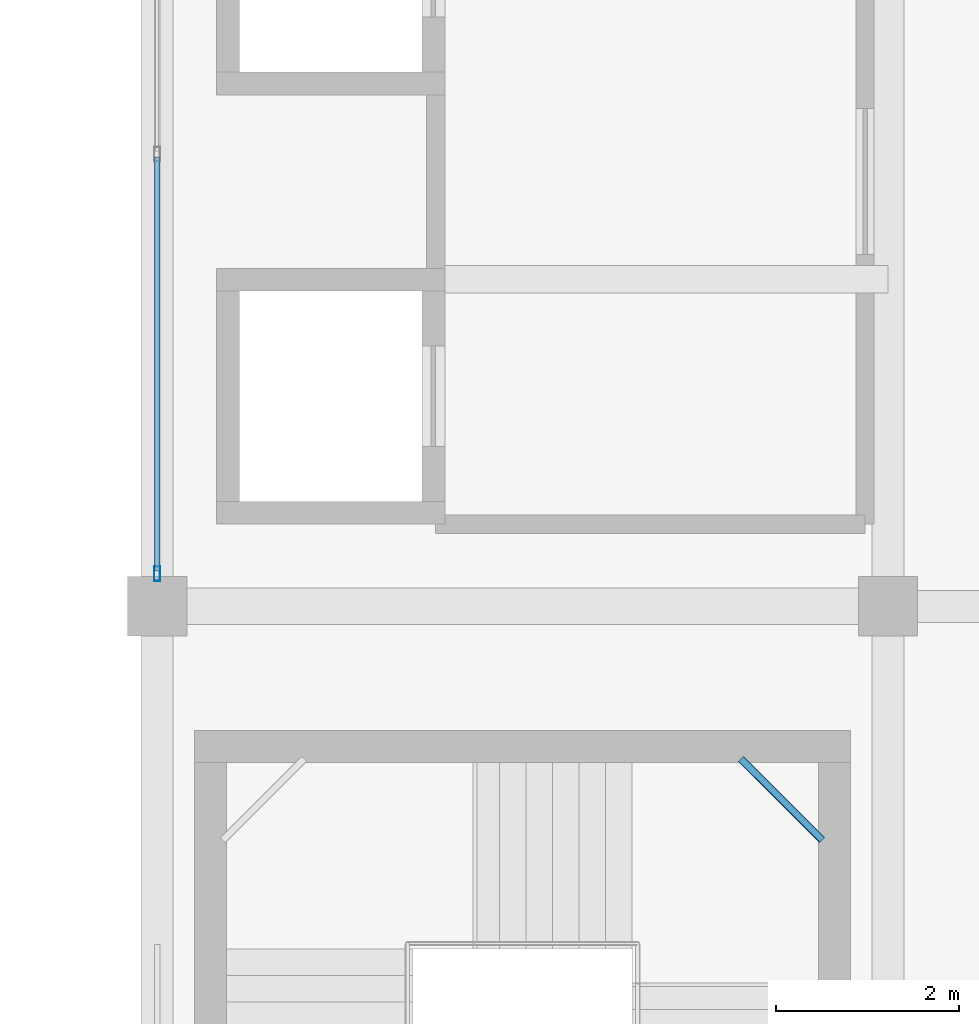
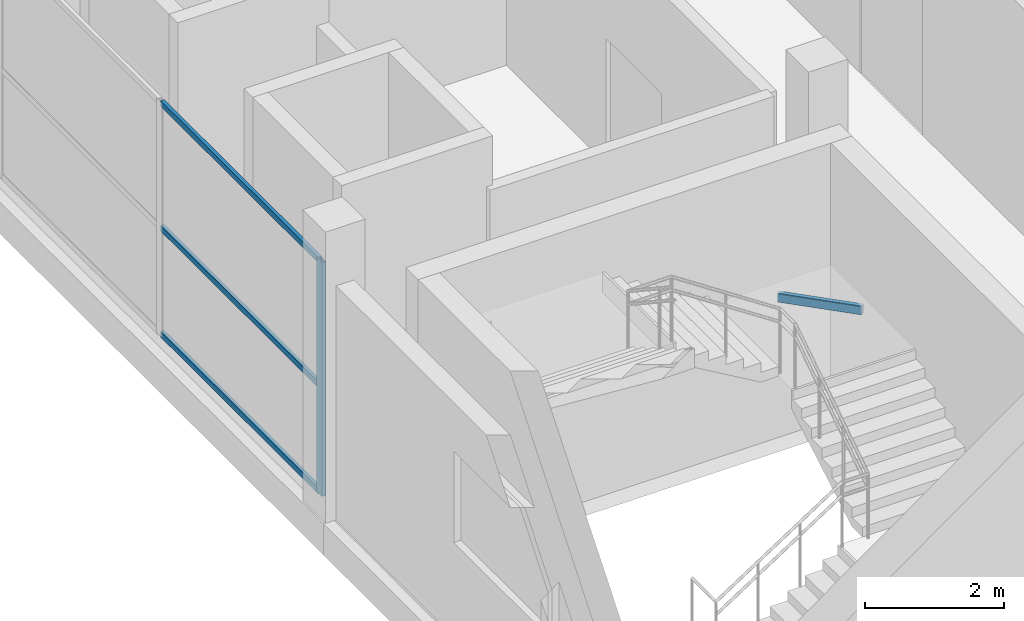
# One storey, part 6 of 58: 4 members, 1 beam, 1 element without a shape of its own.
"""IFC4 building model written with IfcOpenShell, lengths in metres."""

from ifc_helpers import new_model, si_unit, direction, frame, origin, origin_2d, place, context, subcontext, project, spatial, hollow_rectangle, extrude, material, layer, layer_set, material_profile, profile_set, type_object, element, aggregate, save


model = new_model("IFC4")

# Units and contexts
model_context = context("Model", 3, precision=1e-05, world=origin(), true_north=direction((0.0, 1.0)))
body_context = subcontext(model_context, "Body", "Model", "MODEL_VIEW")
ifc_project = project(units=[si_unit("LENGTHUNIT", "METRE"), si_unit("AREAUNIT", "SQUARE_METRE"), si_unit("VOLUMEUNIT", "CUBIC_METRE"), si_unit("PLANEANGLEUNIT", "RADIAN"), si_unit("MASSUNIT", "GRAM", prefix="KILO")], contexts=[model_context])

# Site, building, storey
site_placement = place(None, origin())
site = spatial("IfcSite", under=ifc_project, at=site_placement, CompositionType="ELEMENT")
building_placement = place(site_placement, origin())
building = spatial("IfcBuilding", under=site, at=building_placement, Name="Sillaruma Civic Art Gallery", CompositionType="ELEMENT")
storey_placement = place(building_placement, frame((0.0, 0.0, 52.02001953125)))
storey = spatial("IfcBuildingStorey", under=building, at=storey_placement, Name="L10", CompositionType="ELEMENT", Elevation=52.02001953125)

# Beam
ifc_material_1 = material(Name="Structural Steel ASTM A500 Gr.C", Category="steel")
ifc_material_profile_1 = material_profile(ifc_material_1, hollow_rectangle(XDim=0.080078125, YDim=0.159912109375, WallThickness=0.008056640625, InnerFilletRadius=0.008056640625, OuterFilletRadius=0.01611328125, at=origin_2d()), Name="HSS160x80x8")
ifc_profile_set_1 = profile_set([ifc_material_profile_1], Name="Structural Steel ASTM A500 Gr.C")
beam_type = type_object("IfcBeamType", Name="BM-LND-HSS160", PredefinedType="BEAM", material=ifc_profile_set_1)
beam_placement = place(storey_placement, frame((68.389892578125, 37.929931640625, 2.43994140625), z_axis=(0.707203758046, -0.707009791025, 0.0), x_axis=(0.707009791025, 0.707203758046, 0.0)))
element("IfcBeam", 1, at=beam_placement, inside=storey, type_object=beam_type, Name="Stair Corner Landing Trimmer Beam (ST-03-L10-2)", PredefinedType="BEAM", context=body_context, shape_type="SweptSolid", body=[
    extrude(hollow_rectangle(XDim=0.080078125, YDim=0.159912109375, WallThickness=0.008056640625, InnerFilletRadius=0.008056640625, OuterFilletRadius=0.01611328125, at=origin_2d()), origin(), (0.0, 0.0, 1.0), 1.2587890625),
])

# Curtain wall, members
ifc_material_2 = material(Name="Thermally Broken Extruded Aluminium 6063-T6", Category="aluminium")
ifc_layer = layer(ifc_material_2, 0.159912109375, Name="Thermally Broken Extruded Aluminium 6063-T6")
ifc_layer_set = layer_set([ifc_layer], Name="Thermally Broken Extruded Aluminium 6063-T6")
curtain_wall_type = type_object("IfcCurtainWallType", Name="CW-UNI-73", PredefinedType="NOTDEFINED", material=ifc_layer_set)
curtain_wall_placement = place(storey_placement, origin())
curtain_wall = element("IfcCurtainWall", 2, at=curtain_wall_placement, inside=storey, type_object=curtain_wall_type, Name="Unitised Curtain Wall CW-73 (CW-L10-WBW-3)", PredefinedType="NOTDEFINED")
ifc_material_profile_2 = material_profile(ifc_material_2, hollow_rectangle(XDim=0.06494140625, YDim=0.159912109375, WallThickness=0.00390625, at=origin_2d()), Name="CWM65x160")
ifc_profile_set_2 = profile_set([ifc_material_profile_2], Name="Thermally Broken Extruded Aluminium 6063-T6")
member_type_1 = type_object("IfcMemberType", Name="MEM-MUL-CWM65x160", PredefinedType="MULLION", material=ifc_profile_set_2)
member_1_placement = place(storey_placement, frame((62.0, 39.95751953125, 0.0), z_axis=(0.0, 0.0, 1.0), x_axis=(-1.0, 0.0, 0.0)))
member_1 = element("IfcMember", 3, at=member_1_placement, type_object=member_type_1, Name="CW-73 mullion 1", PredefinedType="MULLION", context=body_context, shape_type="SweptSolid", body=[
    extrude(hollow_rectangle(XDim=0.06494140625, YDim=0.159912109375, WallThickness=0.00390625, at=origin_2d()), origin(), (0.0, 0.0, 1.0), 4.10009765625),
])
ifc_material_profile_3 = material_profile(ifc_material_2, hollow_rectangle(XDim=0.06005859375, YDim=0.10009765625, WallThickness=0.003173828125, at=origin_2d()), Name="CWT60x100")
ifc_profile_set_3 = profile_set([ifc_material_profile_3], Name="Thermally Broken Extruded Aluminium 6063-T6")
member_type_2 = type_object("IfcMemberType", Name="MEM-TRN-CWT60x100", PredefinedType="USERDEFINED", material=ifc_profile_set_3)
member_2_placement = place(storey_placement, frame((62.0, 39.989990234375, 0.030029296875), z_axis=(0.0, 1.0, 0.0), x_axis=(-1.0, 0.0, 0.0)))
member_2 = element("IfcMember", 4, at=member_2_placement, type_object=member_type_2, Name="CW-73 transom 1.1", ObjectType="TRANSOM", PredefinedType="USERDEFINED", context=body_context, shape_type="SweptSolid", body=[
    extrude(hollow_rectangle(XDim=0.06005859375, YDim=0.10009765625, WallThickness=0.003173828125, at=origin_2d()), origin(), (0.0, 0.0, 1.0), 4.527587890625),
])
member_3_placement = place(storey_placement, frame((62.0, 39.989990234375, 1.885986328125), z_axis=(0.0, 1.0, 0.0), x_axis=(-1.0, 0.0, 0.0)))
member_3 = element("IfcMember", 5, at=member_3_placement, type_object=member_type_2, Name="CW-73 transom 1.2", ObjectType="TRANSOM", PredefinedType="USERDEFINED", context=body_context, shape_type="SweptSolid", body=[
    extrude(hollow_rectangle(XDim=0.06005859375, YDim=0.10009765625, WallThickness=0.003173828125, at=origin_2d()), origin(), (0.0, 0.0, 1.0), 4.527587890625),
])
member_4_placement = place(storey_placement, frame((62.0, 39.989990234375, 4.070068359375), z_axis=(0.0, 1.0, 0.0), x_axis=(-1.0, 0.0, 0.0)))
member_4 = element("IfcMember", 6, at=member_4_placement, type_object=member_type_2, Name="CW-73 transom 1.3", ObjectType="TRANSOM", PredefinedType="USERDEFINED", context=body_context, shape_type="SweptSolid", body=[
    extrude(hollow_rectangle(XDim=0.06005859375, YDim=0.10009765625, WallThickness=0.003173828125, at=origin_2d()), origin(), (0.0, 0.0, 1.0), 4.527587890625),
])
aggregate(curtain_wall, [member_1, member_2, member_3, member_4])

save(model, "model.ifc")
